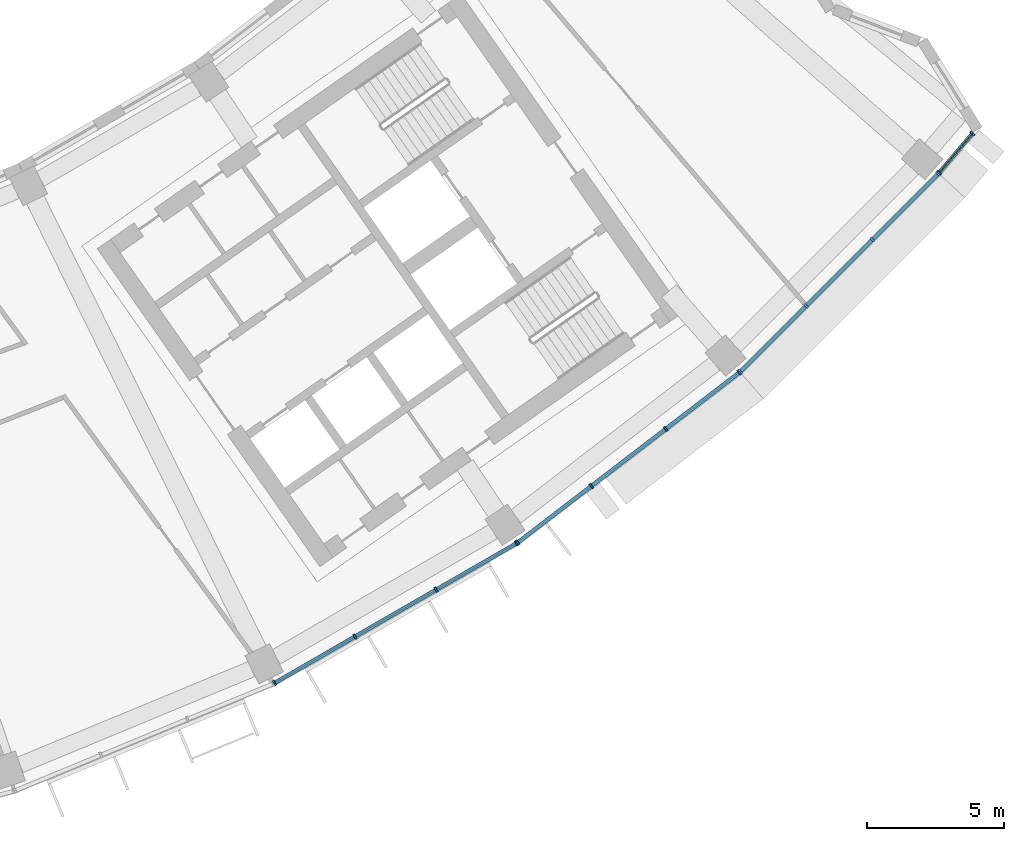
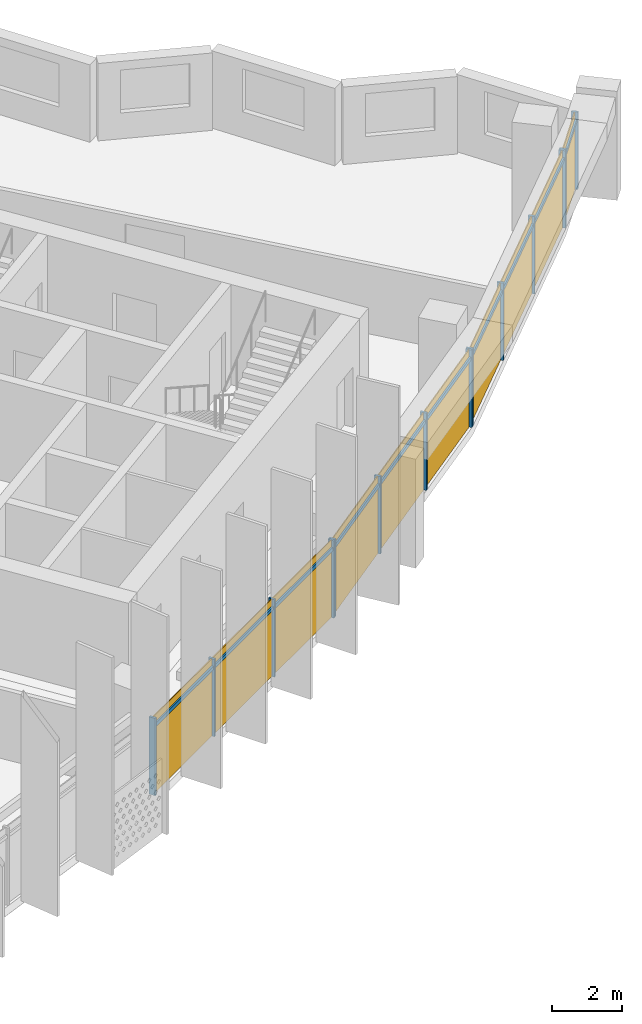
# One storey, part 22 of 28: 24 members, 4 curtain walls.
"""IFC4 building model written with IfcOpenShell, lengths in metres."""

from ifc_helpers import new_model, si_unit, direction, frame, origin, origin_2d, place, context, subcontext, project, spatial, rectangle, extrude, material, material_profile, profile_set, type_object, element, aggregate, save


model = new_model("IFC4")

# Units and contexts
model_context = context("Model", 3, precision=1e-05, world=origin(), true_north=direction((0.0, 1.0)))
body_context = subcontext(model_context, "Body", "Model", "MODEL_VIEW")
ifc_project = project(units=[si_unit("LENGTHUNIT", "METRE"), si_unit("AREAUNIT", "SQUARE_METRE"), si_unit("VOLUMEUNIT", "CUBIC_METRE"), si_unit("PLANEANGLEUNIT", "RADIAN"), si_unit("MASSUNIT", "GRAM", prefix="KILO")], contexts=[model_context])

# Member
ifc_material = material(Name="Aluminium 6063-T6 anodised", Category="aluminium")
ifc_material_profile_1 = material_profile(ifc_material, rectangle(XDim=0.199951171875, YDim=0.070068359375, at=origin_2d()))
ifc_profile_set_1 = profile_set([ifc_material_profile_1], Name="Aluminium 6063-T6 anodised")
member_type_1 = type_object("IfcMemberType", Name="Mullion 70 x 200 aluminium", PredefinedType="MULLION", material=ifc_profile_set_1)
site_placement = place(None, origin())
building_placement = place(site_placement, origin())
storey_placement = place(building_placement, frame((0.0, 0.0, 218.89990234375)))
member_1_placement = place(storey_placement, frame((34.766357421875, -70.43505859375, 0.0), z_axis=(0.0, 0.0, 1.0), x_axis=(-0.5, 0.866025403784, 0.0)))
member_1 = element("IfcMember", 1, at=member_1_placement, type_object=member_type_1, Name="e-cw1-L52-out12/M00", PredefinedType="MULLION", context=body_context, shape_type="SweptSolid", body=[
    extrude(rectangle(XDim=0.199951171875, YDim=0.070068359375, at=origin_2d()), origin(), (0.0, 0.0, 1.0), 2.7001953125),
])

member_2_placement = place(storey_placement, frame((37.705810546875, -68.73779296875, 0.0), z_axis=(0.0, 0.0, 1.0), x_axis=(-0.5, 0.866025403784, 0.0)))
member_2 = element("IfcMember", 2, at=member_2_placement, type_object=member_type_1, Name="e-cw1-L52-out12/M01", PredefinedType="MULLION", context=body_context, shape_type="SweptSolid", body=[
    extrude(rectangle(XDim=0.199951171875, YDim=0.070068359375, at=origin_2d()), origin(), (0.0, 0.0, 1.0), 2.7001953125),
])

member_3_placement = place(storey_placement, frame((40.67578125, -67.023193359375, 0.0), z_axis=(0.0, 0.0, 1.0), x_axis=(-0.5, 0.866025403784, 0.0)))
member_3 = element("IfcMember", 3, at=member_3_placement, type_object=member_type_1, Name="e-cw1-L52-out12/M02", PredefinedType="MULLION", context=body_context, shape_type="SweptSolid", body=[
    extrude(rectangle(XDim=0.199951171875, YDim=0.070068359375, at=origin_2d()), origin(), (0.0, 0.0, 1.0), 2.7001953125),
])

member_4_placement = place(storey_placement, frame((43.615234375, -65.325927734375, 0.0), z_axis=(0.0, 0.0, 1.0), x_axis=(-0.5, 0.866025403784, 0.0)))
member_4 = element("IfcMember", 4, at=member_4_placement, type_object=member_type_1, Name="e-cw1-L52-out12/M03", PredefinedType="MULLION", context=body_context, shape_type="SweptSolid", body=[
    extrude(rectangle(XDim=0.199951171875, YDim=0.070068359375, at=origin_2d()), origin(), (0.0, 0.0, 1.0), 2.7001953125),
])

member_5_placement = place(storey_placement, frame((43.66259765625, -65.29443359375, 0.0), z_axis=(0.0, 0.0, 1.0), x_axis=(-0.608761429009, 0.793353340291, 0.0)))
member_5 = element("IfcMember", 5, at=member_5_placement, type_object=member_type_1, Name="e-cw1-L52-out13/M00", PredefinedType="MULLION", context=body_context, shape_type="SweptSolid", body=[
    extrude(rectangle(XDim=0.199951171875, YDim=0.070068359375, at=origin_2d()), origin(), (0.0, 0.0, 1.0), 2.7001953125),
])

member_6_placement = place(storey_placement, frame((46.35546875, -63.22802734375, 0.0), z_axis=(0.0, 0.0, 1.0), x_axis=(-0.608761429009, 0.793353340291, 0.0)))
member_6 = element("IfcMember", 6, at=member_6_placement, type_object=member_type_1, Name="e-cw1-L52-out13/M01", PredefinedType="MULLION", context=body_context, shape_type="SweptSolid", body=[
    extrude(rectangle(XDim=0.199951171875, YDim=0.070068359375, at=origin_2d()), origin(), (0.0, 0.0, 1.0), 2.7001953125),
])

member_7_placement = place(storey_placement, frame((49.075927734375, -61.140380859375, 0.0), z_axis=(0.0, 0.0, 1.0), x_axis=(-0.608761429009, 0.793353340291, 0.0)))
member_7 = element("IfcMember", 7, at=member_7_placement, type_object=member_type_1, Name="e-cw1-L52-out13/M02", PredefinedType="MULLION", context=body_context, shape_type="SweptSolid", body=[
    extrude(rectangle(XDim=0.199951171875, YDim=0.070068359375, at=origin_2d()), origin(), (0.0, 0.0, 1.0), 2.7001953125),
])

member_8_placement = place(storey_placement, frame((51.768798828125, -59.07421875, 0.0), z_axis=(0.0, 0.0, 1.0), x_axis=(-0.608761429009, 0.793353340291, 0.0)))
member_8 = element("IfcMember", 8, at=member_8_placement, type_object=member_type_1, Name="e-cw1-L52-out13/M03", PredefinedType="MULLION", context=body_context, shape_type="SweptSolid", body=[
    extrude(rectangle(XDim=0.199951171875, YDim=0.070068359375, at=origin_2d()), origin(), (0.0, 0.0, 1.0), 2.7001953125),
])

member_9_placement = place(storey_placement, frame((51.8115234375, -59.03662109375, 0.0), z_axis=(0.0, 0.0, 1.0), x_axis=(-0.707106781187, 0.707106781187, 0.0)))
member_9 = element("IfcMember", 9, at=member_9_placement, type_object=member_type_1, Name="e-cw1-L52-out14/M00", PredefinedType="MULLION", context=body_context, shape_type="SweptSolid", body=[
    extrude(rectangle(XDim=0.199951171875, YDim=0.070068359375, at=origin_2d()), origin(), (0.0, 0.0, 1.0), 2.7001953125),
])

member_10_placement = place(storey_placement, frame((54.211669921875, -56.63671875, 0.0), z_axis=(0.0, 0.0, 1.0), x_axis=(-0.707106781187, 0.707106781187, 0.0)))
member_10 = element("IfcMember", 10, at=member_10_placement, type_object=member_type_1, Name="e-cw1-L52-out14/M01", PredefinedType="MULLION", context=body_context, shape_type="SweptSolid", body=[
    extrude(rectangle(XDim=0.199951171875, YDim=0.070068359375, at=origin_2d()), origin(), (0.0, 0.0, 1.0), 2.7001953125),
])

member_11_placement = place(storey_placement, frame((56.63671875, -54.211669921875, 0.0), z_axis=(0.0, 0.0, 1.0), x_axis=(-0.707106781187, 0.707106781187, 0.0)))
member_11 = element("IfcMember", 11, at=member_11_placement, type_object=member_type_1, Name="e-cw1-L52-out14/M02", PredefinedType="MULLION", context=body_context, shape_type="SweptSolid", body=[
    extrude(rectangle(XDim=0.199951171875, YDim=0.070068359375, at=origin_2d()), origin(), (0.0, 0.0, 1.0), 2.7001953125),
])

member_12_placement = place(storey_placement, frame((59.03662109375, -51.8115234375, 0.0), z_axis=(0.0, 0.0, 1.0), x_axis=(-0.707106781187, 0.707106781187, 0.0)))
member_12 = element("IfcMember", 12, at=member_12_placement, type_object=member_type_1, Name="e-cw1-L52-out14/M03", PredefinedType="MULLION", context=body_context, shape_type="SweptSolid", body=[
    extrude(rectangle(XDim=0.199951171875, YDim=0.070068359375, at=origin_2d()), origin(), (0.0, 0.0, 1.0), 2.7001953125),
])

member_13_placement = place(storey_placement, frame((59.07861328125, -51.76611328125, 0.0), z_axis=(0.0, 0.0, 1.0), x_axis=(-0.761569702594, 0.648083010185, 0.0)))
member_13 = element("IfcMember", 13, at=member_13_placement, type_object=member_type_1, Name="e-cw1-L52-out15/M00", PredefinedType="MULLION", context=body_context, shape_type="SweptSolid", body=[
    extrude(rectangle(XDim=0.199951171875, YDim=0.070068359375, at=origin_2d()), origin(), (0.0, 0.0, 1.0), 2.7001953125),
])

member_14_placement = place(storey_placement, frame((60.301025390625, -50.32958984375, 0.0), z_axis=(0.0, 0.0, 1.0), x_axis=(-0.761569702594, 0.648083010185, 0.0)))
member_14 = element("IfcMember", 14, at=member_14_placement, type_object=member_type_1, Name="e-cw1-L52-out15/M01", PredefinedType="MULLION", context=body_context, shape_type="SweptSolid", body=[
    extrude(rectangle(XDim=0.199951171875, YDim=0.070068359375, at=origin_2d()), origin(), (0.0, 0.0, 1.0), 2.7001953125),
])

ifc_material_profile_2 = material_profile(ifc_material, rectangle(XDim=0.139892578125, YDim=0.1201171875, at=origin_2d()))
ifc_profile_set_2 = profile_set([ifc_material_profile_2], Name="Aluminium 6063-T6 anodised")
member_type_2 = type_object("IfcMemberType", Name="Transom 120 x 140 aluminium", PredefinedType="USERDEFINED", material=ifc_profile_set_2)
member_15_placement = place(storey_placement, frame((34.796630859375, -70.41748046875, 2.400146484375), z_axis=(0.866029041019, 0.499993700073, 0.0), x_axis=(-0.499993700073, 0.866029041019, 0.0)))
member_15 = element("IfcMember", 15, at=member_15_placement, type_object=member_type_2, Name="e-cw1-L52-out12/T00", ObjectType="TRANSOM", PredefinedType="USERDEFINED", context=body_context, shape_type="SweptSolid", body=[
    extrude(rectangle(XDim=0.139892578125, YDim=0.1201171875, at=origin_2d()), origin(), (0.0, 0.0, 1.0), 3.32421875),
])

member_16_placement = place(storey_placement, frame((37.736083984375, -68.72021484375, 2.400146484375), z_axis=(0.866034314054, 0.499984566643, 0.0), x_axis=(-0.499984566643, 0.866034314054, 0.0)))
member_16 = element("IfcMember", 16, at=member_16_placement, type_object=member_type_2, Name="e-cw1-L52-out12/T01", ObjectType="TRANSOM", PredefinedType="USERDEFINED", context=body_context, shape_type="SweptSolid", body=[
    extrude(rectangle(XDim=0.139892578125, YDim=0.1201171875, at=origin_2d()), origin(), (0.0, 0.0, 1.0), 3.359375),
])

member_17_placement = place(storey_placement, frame((40.7060546875, -67.005615234375, 2.400146484375), z_axis=(0.866029041019, 0.499993700073, 0.0), x_axis=(-0.499993700073, 0.866029041019, 0.0)))
member_17 = element("IfcMember", 17, at=member_17_placement, type_object=member_type_2, Name="e-cw1-L52-out12/T02", ObjectType="TRANSOM", PredefinedType="USERDEFINED", context=body_context, shape_type="SweptSolid", body=[
    extrude(rectangle(XDim=0.139892578125, YDim=0.1201171875, at=origin_2d()), origin(), (0.0, 0.0, 1.0), 3.32421875),
])

member_18_placement = place(storey_placement, frame((43.690185546875, -65.273193359375, 2.400146484375), z_axis=(0.793368713958, 0.608741393132, 0.0), x_axis=(-0.608741393132, 0.793368713958, 0.0)))
member_18 = element("IfcMember", 18, at=member_18_placement, type_object=member_type_2, Name="e-cw1-L52-out13/T00", ObjectType="TRANSOM", PredefinedType="USERDEFINED", context=body_context, shape_type="SweptSolid", body=[
    extrude(rectangle(XDim=0.139892578125, YDim=0.1201171875, at=origin_2d()), origin(), (0.0, 0.0, 1.0), 3.324462890625),
])

member_19_placement = place(storey_placement, frame((46.383056640625, -63.206787109375, 2.400146484375), z_axis=(0.793385234627, 0.608719861247, 0.0), x_axis=(-0.608719861247, 0.793385234627, 0.0)))
member_19 = element("IfcMember", 19, at=member_19_placement, type_object=member_type_2, Name="e-cw1-L52-out13/T01", ObjectType="TRANSOM", PredefinedType="USERDEFINED", context=body_context, shape_type="SweptSolid", body=[
    extrude(rectangle(XDim=0.139892578125, YDim=0.1201171875, at=origin_2d()), origin(), (0.0, 0.0, 1.0), 3.359375),
])

member_20_placement = place(storey_placement, frame((49.103759765625, -61.119140625, 2.400146484375), z_axis=(0.793368713958, 0.608741393132, 0.0), x_axis=(-0.608741393132, 0.793368713958, 0.0)))
member_20 = element("IfcMember", 20, at=member_20_placement, type_object=member_type_2, Name="e-cw1-L52-out13/T02", ObjectType="TRANSOM", PredefinedType="USERDEFINED", context=body_context, shape_type="SweptSolid", body=[
    extrude(rectangle(XDim=0.139892578125, YDim=0.1201171875, at=origin_2d()), origin(), (0.0, 0.0, 1.0), 3.324462890625),
])

member_21_placement = place(storey_placement, frame((51.83642578125, -59.011962890625, 2.400146484375), z_axis=(0.707106781187, 0.707106781187, 0.0), x_axis=(-0.707106781187, 0.707106781187, 0.0)))
member_21 = element("IfcMember", 21, at=member_21_placement, type_object=member_type_2, Name="e-cw1-L52-out14/T00", ObjectType="TRANSOM", PredefinedType="USERDEFINED", context=body_context, shape_type="SweptSolid", body=[
    extrude(rectangle(XDim=0.139892578125, YDim=0.1201171875, at=origin_2d()), origin(), (0.0, 0.0, 1.0), 3.32421875),
])

member_22_placement = place(storey_placement, frame((54.236572265625, -56.61181640625, 2.400146484375), z_axis=(0.707106781187, 0.707106781187, 0.0), x_axis=(-0.707106781187, 0.707106781187, 0.0)))
member_22 = element("IfcMember", 22, at=member_22_placement, type_object=member_type_2, Name="e-cw1-L52-out14/T01", ObjectType="TRANSOM", PredefinedType="USERDEFINED", context=body_context, shape_type="SweptSolid", body=[
    extrude(rectangle(XDim=0.139892578125, YDim=0.1201171875, at=origin_2d()), origin(), (0.0, 0.0, 1.0), 3.359130859375),
])

member_23_placement = place(storey_placement, frame((56.661376953125, -54.18701171875, 2.400146484375), z_axis=(0.707106781187, 0.707106781187, 0.0), x_axis=(-0.707106781187, 0.707106781187, 0.0)))
member_23 = element("IfcMember", 23, at=member_23_placement, type_object=member_type_2, Name="e-cw1-L52-out14/T02", ObjectType="TRANSOM", PredefinedType="USERDEFINED", context=body_context, shape_type="SweptSolid", body=[
    extrude(rectangle(XDim=0.139892578125, YDim=0.1201171875, at=origin_2d()), origin(), (0.0, 0.0, 1.0), 3.32421875),
])

member_24_placement = place(storey_placement, frame((59.101318359375, -51.739501953125, 2.400146484375), z_axis=(0.648097065078, 0.761557741893, 0.0), x_axis=(-0.761557741893, 0.648097065078, 0.0)))
member_24 = element("IfcMember", 24, at=member_24_placement, type_object=member_type_2, Name="e-cw1-L52-out15/T00", ObjectType="TRANSOM", PredefinedType="USERDEFINED", context=body_context, shape_type="SweptSolid", body=[
    extrude(rectangle(XDim=0.139892578125, YDim=0.1201171875, at=origin_2d()), origin(), (0.0, 0.0, 1.0), 1.816162109375),
])

# Site, building, storey
site = spatial("IfcSite", under=ifc_project, at=site_placement, CompositionType="ELEMENT")
building = spatial("IfcBuilding", under=site, at=building_placement, Name="Qamariyya Broadcast Tower", CompositionType="ELEMENT")
storey = spatial("IfcBuildingStorey", under=building, at=storey_placement, Name="L52", CompositionType="ELEMENT", Elevation=218.89990234375)

# Curtain wall
curtain_wall_type = type_object("IfcCurtainWallType", Name="Unitised curtain wall, anodised aluminium", PredefinedType="NOTDEFINED", material=ifc_material)
curtain_wall_1_placement = place(storey_placement, origin())
curtain_wall_1 = element("IfcCurtainWall", 25, at=curtain_wall_1_placement, inside=storey, type_object=curtain_wall_type, Name="e-cw1-L52-out12", PredefinedType="NOTDEFINED", context=body_context, shape_type="SweptSolid", body=[
    extrude(rectangle(XDim=3.32421875, YDim=0.031982421875, at=origin_2d()), frame((36.236083984375, -69.58642578125, 0.0), x_axis=(0.866027904674, 0.499995668308, 0.0)), (0.0, 0.0, 1.0), 2.340087890625),
    extrude(rectangle(XDim=3.32421875, YDim=0.031982421875, at=origin_2d()), frame((36.236083984375, -69.58642578125, 2.460205078125), x_axis=(0.866027904674, 0.499995668308, 0.0)), (0.0, 0.0, 1.0), 0.239990234375),
    extrude(rectangle(XDim=3.359130859375, YDim=0.031982421875, at=origin_2d()), frame((39.19091796875, -67.88037109375, 0.0), x_axis=(0.866027904674, 0.499995668308, 0.0)), (0.0, 0.0, 1.0), 2.340087890625),
    extrude(rectangle(XDim=3.359130859375, YDim=0.031982421875, at=origin_2d()), frame((39.19091796875, -67.88037109375, 2.460205078125), x_axis=(0.866027904674, 0.499995668308, 0.0)), (0.0, 0.0, 1.0), 0.239990234375),
    extrude(rectangle(XDim=3.32421875, YDim=0.031982421875, at=origin_2d()), frame((42.1455078125, -66.174560546875, 0.0), x_axis=(0.866027904674, 0.499995668308, 0.0)), (0.0, 0.0, 1.0), 2.340087890625),
    extrude(rectangle(XDim=3.32421875, YDim=0.031982421875, at=origin_2d()), frame((42.1455078125, -66.174560546875, 2.460205078125), x_axis=(0.866027904674, 0.499995668308, 0.0)), (0.0, 0.0, 1.0), 0.239990234375),
])

aggregate(curtain_wall_1, [member_1, member_2, member_3, member_4, member_15, member_16, member_17])

curtain_wall_2_placement = place(storey_placement, origin())
curtain_wall_2 = element("IfcCurtainWall", 26, at=curtain_wall_2_placement, inside=storey, type_object=curtain_wall_type, Name="e-cw1-L52-out13", PredefinedType="NOTDEFINED", context=body_context, shape_type="SweptSolid", body=[
    extrude(rectangle(XDim=3.32421875, YDim=0.031982421875, at=origin_2d()), frame((45.009033203125, -64.26123046875, 0.0), x_axis=(0.793359168734, 0.608753833159, 0.0)), (0.0, 0.0, 1.0), 2.340087890625),
    extrude(rectangle(XDim=3.32421875, YDim=0.031982421875, at=origin_2d()), frame((45.009033203125, -64.26123046875, 2.460205078125), x_axis=(0.793359168734, 0.608753833159, 0.0)), (0.0, 0.0, 1.0), 0.239990234375),
    extrude(rectangle(XDim=3.359130859375, YDim=0.031982421875, at=origin_2d()), frame((47.7158203125, -62.184326171875, 0.0), x_axis=(0.793359168734, 0.608753833159, 0.0)), (0.0, 0.0, 1.0), 2.340087890625),
    extrude(rectangle(XDim=3.359130859375, YDim=0.031982421875, at=origin_2d()), frame((47.7158203125, -62.184326171875, 2.460205078125), x_axis=(0.793359168734, 0.608753833159, 0.0)), (0.0, 0.0, 1.0), 0.239990234375),
    extrude(rectangle(XDim=3.32421875, YDim=0.031982421875, at=origin_2d()), frame((50.42236328125, -60.107421875, 0.0), x_axis=(0.793359168734, 0.608753833159, 0.0)), (0.0, 0.0, 1.0), 2.340087890625),
    extrude(rectangle(XDim=3.32421875, YDim=0.031982421875, at=origin_2d()), frame((50.42236328125, -60.107421875, 2.460205078125), x_axis=(0.793359168734, 0.608753833159, 0.0)), (0.0, 0.0, 1.0), 0.239990234375),
])

aggregate(curtain_wall_2, [member_5, member_6, member_7, member_8, member_18, member_19, member_20])

curtain_wall_3_placement = place(storey_placement, origin())
curtain_wall_3 = element("IfcCurtainWall", 27, at=curtain_wall_3_placement, inside=storey, type_object=curtain_wall_type, Name="e-cw1-L52-out14", PredefinedType="NOTDEFINED", context=body_context, shape_type="SweptSolid", body=[
    extrude(rectangle(XDim=3.32421875, YDim=0.031982421875, at=origin_2d()), frame((53.01171875, -57.836669921875, 0.0), x_axis=(0.707106781187, 0.707106781187, 0.0)), (0.0, 0.0, 1.0), 2.340087890625),
    extrude(rectangle(XDim=3.32421875, YDim=0.031982421875, at=origin_2d()), frame((53.01171875, -57.836669921875, 2.460205078125), x_axis=(0.707106781187, 0.707106781187, 0.0)), (0.0, 0.0, 1.0), 0.239990234375),
    extrude(rectangle(XDim=3.359375, YDim=0.031982421875, at=origin_2d()), frame((55.42431640625, -55.42431640625, 0.0), x_axis=(0.707106781187, 0.707106781187, 0.0)), (0.0, 0.0, 1.0), 2.340087890625),
    extrude(rectangle(XDim=3.359375, YDim=0.031982421875, at=origin_2d()), frame((55.42431640625, -55.42431640625, 2.460205078125), x_axis=(0.707106781187, 0.707106781187, 0.0)), (0.0, 0.0, 1.0), 0.239990234375),
    extrude(rectangle(XDim=3.32421875, YDim=0.031982421875, at=origin_2d()), frame((57.836669921875, -53.01171875, 0.0), x_axis=(0.707106781187, 0.707106781187, 0.0)), (0.0, 0.0, 1.0), 2.340087890625),
    extrude(rectangle(XDim=3.32421875, YDim=0.031982421875, at=origin_2d()), frame((57.836669921875, -53.01171875, 2.460205078125), x_axis=(0.707106781187, 0.707106781187, 0.0)), (0.0, 0.0, 1.0), 0.239990234375),
])

aggregate(curtain_wall_3, [member_9, member_10, member_11, member_12, member_21, member_22, member_23])

curtain_wall_4_placement = place(storey_placement, origin())
curtain_wall_4 = element("IfcCurtainWall", 28, at=curtain_wall_4_placement, inside=storey, type_object=curtain_wall_type, Name="e-cw1-L52-out15", PredefinedType="NOTDEFINED", context=body_context, shape_type="SweptSolid", body=[
    extrude(rectangle(XDim=1.816162109375, YDim=0.031982421875, at=origin_2d()), frame((59.68994140625, -51.0478515625, 0.0), x_axis=(0.648032379775, 0.761612785321, 0.0)), (0.0, 0.0, 1.0), 2.340087890625),
    extrude(rectangle(XDim=1.816162109375, YDim=0.031982421875, at=origin_2d()), frame((59.68994140625, -51.0478515625, 2.460205078125), x_axis=(0.648032379775, 0.761612785321, 0.0)), (0.0, 0.0, 1.0), 0.239990234375),
])

aggregate(curtain_wall_4, [member_13, member_14, member_24])

save(model, "model.ifc")
